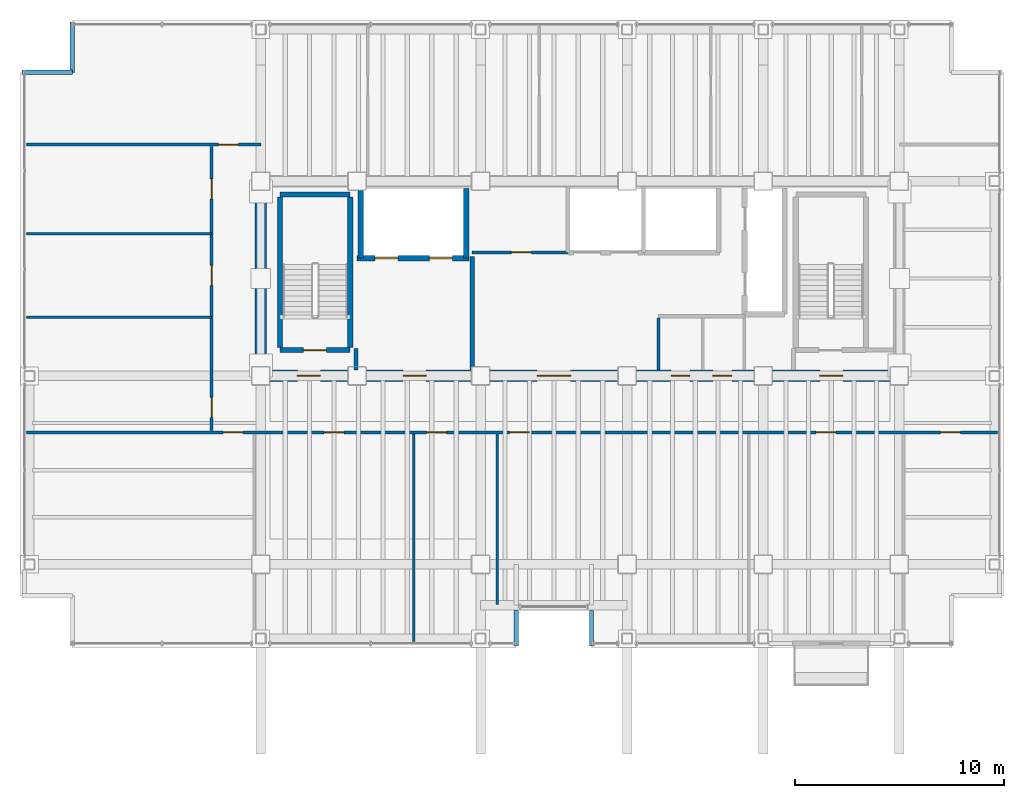
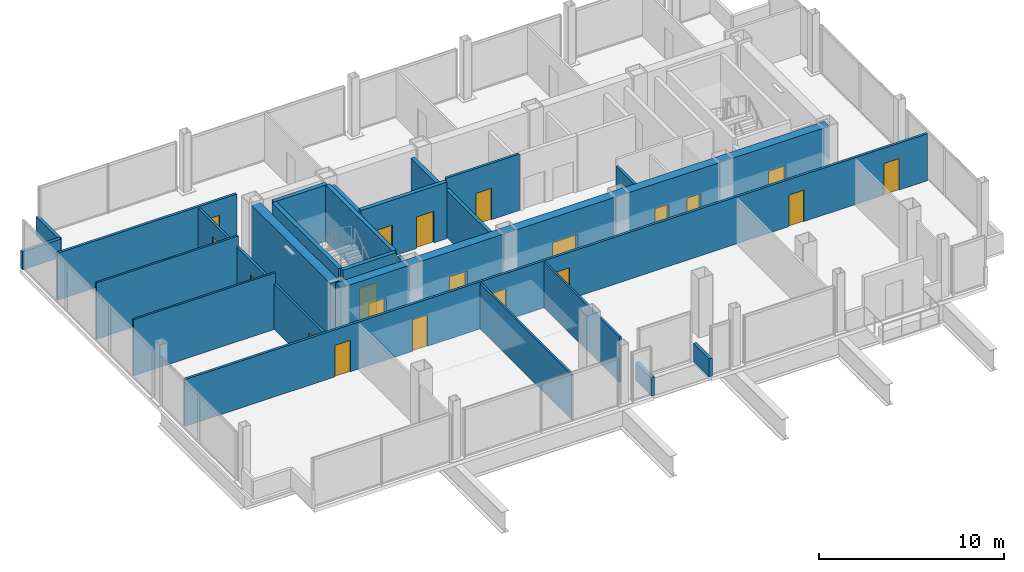
# One storey, part 21 of 24: 24 walls, 20 doors, 20 openings.
"""IFC4 building model written with IfcOpenShell, lengths in metres."""

from ifc_helpers import new_model, si_unit, direction, frame, frame_2d, origin, place, context, subcontext, project, spatial, rectangle, extrude, material, layer, layer_set, type_object, element, fill, save


model = new_model("IFC4")

# Units and contexts
model_context = context("Model", 3, precision=1e-05, world=origin(), true_north=direction((0.0, 1.0)))
body_context = subcontext(model_context, "Body", "Model", "MODEL_VIEW")
ifc_project = project(units=[si_unit("LENGTHUNIT", "METRE"), si_unit("AREAUNIT", "SQUARE_METRE"), si_unit("VOLUMEUNIT", "CUBIC_METRE"), si_unit("PLANEANGLEUNIT", "RADIAN"), si_unit("MASSUNIT", "GRAM", prefix="KILO")], contexts=[model_context])

# Site, building, storey
site_placement = place(None, origin())
site = spatial("IfcSite", under=ifc_project, at=site_placement, CompositionType="ELEMENT")
building_placement = place(site_placement, origin())
building = spatial("IfcBuilding", under=site, at=building_placement, Name="Noeulbin Bourse Tower", CompositionType="ELEMENT")
storey_placement = place(building_placement, frame((0.0, 0.0, 142.199951171875)))
storey = spatial("IfcBuildingStorey", under=building, at=storey_placement, Name="L35", CompositionType="ELEMENT", Elevation=142.199951171875)

# Wall, openings, doors
ifc_material_1 = material(Name="Concrete C60/75", Category="concrete")
ifc_layer_1 = layer(ifc_material_1, 0.550048828125)
ifc_layer_set_1 = layer_set([ifc_layer_1], Name="Concrete C60/75")
wall_type_1 = type_object("IfcWallType", Name="WAL-CORE-550", PredefinedType="SHEAR", material=ifc_layer_set_1)
wall_1_placement = place(storey_placement, frame((13.5, 29.0, 0.0), z_axis=(0.0, 0.0, 1.0), x_axis=(1.0, 0.0, 0.0)))
wall_1 = element("IfcWall", 1, at=wall_1_placement, inside=storey, type_object=wall_type_1, Name="Rear Core South Shear Wall L35", PredefinedType="SHEAR", context=body_context, shape_type="SweptSolid", body=[
    extrude(rectangle(XDim=30.5, YDim=0.550048828125, at=frame_2d((15.25, 0.0))), origin(), (0.0, 0.0, 1.0), 3.719970703125),
])
opening_1_placement = place(wall_1_placement, frame((1.75, 0.0, 0.0)))
opening_1 = element("IfcOpeningElement", 2, at=opening_1_placement, cuts=wall_1, Name="Opening FD-11", PredefinedType="OPENING", context=body_context, shape_type="SweptSolid", body=[
    extrude(rectangle(XDim=1.10009765625, YDim=2.080078125, at=frame_2d((0.550048828125, 1.0400390625))), frame((0.0, 0.284912109375, 0.0), z_axis=(0.0, -1.0, 0.0), x_axis=(1.0, 0.0, 0.0)), (0.0, 0.0, 1.0), 0.570068359375),
])
opening_2_placement = place(wall_1_placement, frame((26.699951171875, 0.0, 0.0)))
opening_2 = element("IfcOpeningElement", 3, at=opening_2_placement, cuts=wall_1, Name="Opening FD-11", PredefinedType="OPENING", context=body_context, shape_type="SweptSolid", body=[
    extrude(rectangle(XDim=1.10009765625, YDim=2.080078125, at=frame_2d((0.550048828125, 1.0400390625))), frame((0.0, 0.284912109375, 0.0), z_axis=(0.0, -1.0, 0.0), x_axis=(1.0, 0.0, 0.0)), (0.0, 0.0, 1.0), 0.570068359375),
])
opening_3_placement = place(wall_1_placement, frame((6.800048828125, 0.0, 0.0)))
opening_3 = element("IfcOpeningElement", 4, at=opening_3_placement, cuts=wall_1, Name="Opening FD-11", PredefinedType="OPENING", context=body_context, shape_type="SweptSolid", body=[
    extrude(rectangle(XDim=1.10009765625, YDim=2.080078125, at=frame_2d((0.550048828125, 1.0400390625))), frame((0.0, 0.284912109375, 0.0), z_axis=(0.0, -1.0, 0.0), x_axis=(1.0, 0.0, 0.0)), (0.0, 0.0, 1.0), 0.570068359375),
])
opening_4_placement = place(wall_1_placement, frame((13.199951171875, 0.0, 0.0)))
opening_4 = element("IfcOpeningElement", 5, at=opening_4_placement, cuts=wall_1, Name="Opening ID-16", PredefinedType="OPENING", context=body_context, shape_type="SweptSolid", body=[
    extrude(rectangle(XDim=1.60009765625, YDim=2.080078125, at=frame_2d((0.800048828125, 1.0400390625))), frame((0.0, 0.284912109375, 0.0), z_axis=(0.0, -1.0, 0.0), x_axis=(1.0, 0.0, 0.0)), (0.0, 0.0, 1.0), 0.570068359375),
])
opening_5_placement = place(wall_1_placement, frame((19.60009765625, 0.0, 0.0)))
opening_5 = element("IfcOpeningElement", 6, at=opening_5_placement, cuts=wall_1, Name="Opening FD-09", PredefinedType="OPENING", context=body_context, shape_type="SweptSolid", body=[
    extrude(rectangle(XDim=0.89990234375, YDim=2.080078125, at=frame_2d((0.449951171875, 1.0400390625))), frame((0.0, 0.284912109375, 0.0), z_axis=(0.0, -1.0, 0.0), x_axis=(1.0, 0.0, 0.0)), (0.0, 0.0, 1.0), 0.570068359375),
])
opening_6_placement = place(wall_1_placement, frame((21.60009765625, 0.0, 0.0)))
opening_6 = element("IfcOpeningElement", 7, at=opening_6_placement, cuts=wall_1, Name="Opening FD-09", PredefinedType="OPENING", context=body_context, shape_type="SweptSolid", body=[
    extrude(rectangle(XDim=0.89990234375, YDim=2.080078125, at=frame_2d((0.449951171875, 1.0400390625))), frame((0.0, 0.284912109375, 0.0), z_axis=(0.0, -1.0, 0.0), x_axis=(1.0, 0.0, 0.0)), (0.0, 0.0, 1.0), 0.570068359375),
])
ifc_material_2 = material(Name="Acoustic Glazed Aluminium", Category="aluminium")
door_type_1 = type_object("IfcDoorType", Name="DR-DBL-1600", OperationType="DOUBLE_DOOR_SINGLE_SWING", PredefinedType="DOOR", material=ifc_material_2)
door_1_placement = place(opening_4_placement, origin())
door_1 = element("IfcDoor", 8, at=door_1_placement, inside=storey, type_object=door_type_1, Name="Passenger Lift Lobby Portal L35", OperationType="DOUBLE_DOOR_SINGLE_SWING", OverallHeight=2.080078125, OverallWidth=1.60009765625, PredefinedType="DOOR", context=body_context, shape_type="SweptSolid", body=[
    extrude(rectangle(XDim=1.60009765625, YDim=2.080078125, at=frame_2d((0.800048828125, 1.0400390625))), frame((0.0, 0.02490234375, 0.0), z_axis=(0.0, -1.0, 0.0), x_axis=(1.0, 0.0, 0.0)), (0.0, 0.0, 1.0), 0.050048828125),
])
fill(opening_4, door_1)
ifc_material_3 = material(Name="Fire-Rated Timber Core", Category="wood")
door_type_2 = type_object("IfcDoorType", Name="DR-FD30-900", OperationType="SINGLE_SWING_RIGHT", PredefinedType="DOOR", material=ifc_material_3)
door_2_placement = place(opening_5_placement, origin())
door_2 = element("IfcDoor", 9, at=door_2_placement, inside=storey, type_object=door_type_2, Name="Interior Door L35-06", OperationType="SINGLE_SWING_LEFT", OverallHeight=2.080078125, OverallWidth=0.89990234375, PredefinedType="DOOR", context=body_context, shape_type="SweptSolid", body=[
    extrude(rectangle(XDim=0.89990234375, YDim=2.080078125, at=frame_2d((0.449951171875, 1.0400390625))), frame((0.0, 0.02490234375, 0.0), z_axis=(0.0, -1.0, 0.0), x_axis=(1.0, 0.0, 0.0)), (0.0, 0.0, 1.0), 0.050048828125),
])
fill(opening_5, door_2)
door_3_placement = place(opening_6_placement, origin())
door_3 = element("IfcDoor", 10, at=door_3_placement, inside=storey, type_object=door_type_2, Name="Interior Door L35-07", OperationType="SINGLE_SWING_RIGHT", OverallHeight=2.080078125, OverallWidth=0.89990234375, PredefinedType="DOOR", context=body_context, shape_type="SweptSolid", body=[
    extrude(rectangle(XDim=0.89990234375, YDim=2.080078125, at=frame_2d((0.449951171875, 1.0400390625))), frame((0.0, 0.02490234375, 0.0), z_axis=(0.0, -1.0, 0.0), x_axis=(1.0, 0.0, 0.0)), (0.0, 0.0, 1.0), 0.050048828125),
])
fill(opening_6, door_3)
ifc_material_4 = material(Name="Fire-Rated Insulated Steel", Category="steel")
door_type_3 = type_object("IfcDoorType", Name="DR-FD60-1100", OperationType="SINGLE_SWING_LEFT", PredefinedType="DOOR", material=ifc_material_4)
door_4_placement = place(opening_1_placement, origin())
door_4 = element("IfcDoor", 11, at=door_4_placement, inside=storey, type_object=door_type_3, Name="West Stair Lobby Door L35", OperationType="SINGLE_SWING_RIGHT", OverallHeight=2.080078125, OverallWidth=1.10009765625, PredefinedType="DOOR", context=body_context, shape_type="SweptSolid", body=[
    extrude(rectangle(XDim=1.10009765625, YDim=2.080078125, at=frame_2d((0.550048828125, 1.0400390625))), frame((0.0, 0.02490234375, 0.0), z_axis=(0.0, -1.0, 0.0), x_axis=(1.0, 0.0, 0.0)), (0.0, 0.0, 1.0), 0.050048828125),
])
fill(opening_1, door_4)
door_5_placement = place(opening_2_placement, origin())
door_5 = element("IfcDoor", 12, at=door_5_placement, inside=storey, type_object=door_type_3, Name="East Stair Lobby Door L35", OperationType="SINGLE_SWING_LEFT", OverallHeight=2.080078125, OverallWidth=1.10009765625, PredefinedType="DOOR", context=body_context, shape_type="SweptSolid", body=[
    extrude(rectangle(XDim=1.10009765625, YDim=2.080078125, at=frame_2d((0.550048828125, 1.0400390625))), frame((0.0, 0.02490234375, 0.0), z_axis=(0.0, -1.0, 0.0), x_axis=(1.0, 0.0, 0.0)), (0.0, 0.0, 1.0), 0.050048828125),
])
fill(opening_2, door_5)
door_6_placement = place(opening_3_placement, origin())
door_6 = element("IfcDoor", 13, at=door_6_placement, inside=storey, type_object=door_type_3, Name="Firefighting Lobby Door L35", OperationType="SINGLE_SWING_RIGHT", OverallHeight=2.080078125, OverallWidth=1.10009765625, PredefinedType="DOOR", context=body_context, shape_type="SweptSolid", body=[
    extrude(rectangle(XDim=1.10009765625, YDim=2.080078125, at=frame_2d((0.550048828125, 1.0400390625))), frame((0.0, 0.02490234375, 0.0), z_axis=(0.0, -1.0, 0.0), x_axis=(1.0, 0.0, 0.0)), (0.0, 0.0, 1.0), 0.050048828125),
])
fill(opening_3, door_6)

# Walls
wall_2_placement = place(storey_placement, frame((13.5, 29.35009765625, 0.0), z_axis=(0.0, 0.0, 1.0), x_axis=(0.0, 1.0, 0.0)))
element("IfcWall", 14, at=wall_2_placement, inside=storey, type_object=wall_type_1, Name="Rear Core West Shear Wall L35", PredefinedType="SHEAR", context=body_context, shape_type="SweptSolid", body=[
    extrude(rectangle(XDim=8.599853515625, YDim=0.550048828125, at=frame_2d((4.2998046875, 0.0))), origin(), (0.0, 0.0, 1.0), 3.719970703125),
])
ifc_material_5 = material(Name="Concrete C40/50", Category="concrete")
ifc_layer_2 = layer(ifc_material_5, 0.199951171875)
ifc_layer_set_2 = layer_set([ifc_layer_2], Name="Concrete C40/50")
wall_type_2 = type_object("IfcWallType", Name="WAL-FIRE-200", PredefinedType="STANDARD", material=ifc_layer_set_2)
wall_3_placement = place(storey_placement, frame((18.050048828125, 29.284912109375, 0.0), z_axis=(0.0, 0.0, 1.0), x_axis=(0.0, 1.0, 0.0)))
element("IfcWall", 15, at=wall_3_placement, inside=storey, type_object=wall_type_2, Name="Interior Partition Wall L35-09", PredefinedType="STANDARD", context=body_context, shape_type="SweptSolid", body=[
    extrude(rectangle(XDim=1.01513671875, YDim=0.199951171875, at=frame_2d((0.507568359375, 0.0))), origin(), (0.0, 0.0, 1.0), 3.300048828125),
])
wall_4_placement = place(storey_placement, frame((23.60009765625, 29.284912109375, 0.0), z_axis=(0.0, 0.0, 1.0), x_axis=(0.0, 1.0, 0.0)))
element("IfcWall", 16, at=wall_4_placement, inside=storey, type_object=wall_type_2, Name="Interior Partition Wall L35-11", PredefinedType="STANDARD", context=body_context, shape_type="SweptSolid", body=[
    extrude(rectangle(XDim=5.4150390625, YDim=0.199951171875, at=frame_2d((2.70751953125, 0.0))), origin(), (0.0, 0.0, 1.0), 3.10009765625),
])
ifc_layer_3 = layer(ifc_material_5, 0.199951171875)
ifc_layer_set_3 = layer_set([ifc_layer_3], Name="Concrete C40/50")
wall_type_3 = type_object("IfcWallType", Name="WAL-PAR-200", PredefinedType="PARAPET", material=ifc_layer_set_3)
for number, where, z_axis, x_axis, name in (
    (17, (2.10009765625, 43.5, 0.0), (0.0, 0.0, 1.0), (1.0, 0.0, 0.0), "Corner Notch Parapet L35-NW1"),
    (18, (4.5, 43.5, 0.0), (0.0, 0.0, 1.0), (0.0, 1.0, 0.0), "Corner Notch Parapet L35-NW2"),
):
    element("IfcWall", number, at=place(storey_placement, frame(where, z_axis=z_axis, x_axis=x_axis)), inside=storey, type_object=wall_type_3, Name=name, PredefinedType="PARAPET", context=body_context, shape_type="SweptSolid", body=[
        extrude(rectangle(XDim=2.39990234375, YDim=0.199951171875, at=frame_2d((1.199951171875, 0.0))), origin(), (0.0, 0.0, 1.0), 1.199951171875),
    ])
for number, where, z_axis, x_axis, name in (
    (19, (25.699951171875, 16.10009765625, 0.0), (0.0, 0.0, 1.0), (0.0, 1.0, 0.0), "Sky-Garden Recess Parapet L35-W"),
    (20, (29.300048828125, 17.800048828125, 0.0), (0.0, 0.0, 1.0), (0.0, -1.0, 0.0), "Sky-Garden Recess Parapet L35-E"),
):
    element("IfcWall", number, at=place(storey_placement, frame(where, z_axis=z_axis, x_axis=x_axis)), inside=storey, type_object=wall_type_3, Name=name, PredefinedType="PARAPET", context=body_context, shape_type="SweptSolid", body=[
        extrude(rectangle(XDim=1.699951171875, YDim=0.199951171875, at=frame_2d((0.85009765625, 0.0))), origin(), (0.0, 0.0, 1.0), 1.199951171875),
    ])
ifc_material_6 = material(Name="Steel Stud Gypsum Partition", Category="steel")
ifc_layer_4 = layer(ifc_material_6, 0.1201171875)
ifc_layer_set_4 = layer_set([ifc_layer_4], Name="Steel Stud Gypsum Partition")
wall_type_4 = type_object("IfcWallType", Name="WAL-PRT-120", PredefinedType="PARTITIONING", material=ifc_layer_set_4)
for number, where, z_axis, x_axis, name in (
    (21, (2.31005859375, 31.800048828125, 0.0), (0.0, 0.0, 1.0), (1.0, 0.0, 0.0), "Interior Partition Wall L35-05"),
    (22, (2.31005859375, 35.800048828125, 0.0), (0.0, 0.0, 1.0), (1.0, 0.0, 0.0), "Interior Partition Wall L35-06"),
):
    element("IfcWall", number, at=place(storey_placement, frame(where, z_axis=z_axis, x_axis=x_axis)), inside=storey, type_object=wall_type_4, Name=name, PredefinedType="PARTITIONING", context=body_context, shape_type="SweptSolid", body=[
        extrude(rectangle(XDim=8.83984375, YDim=0.1201171875, at=frame_2d((4.419921875, 0.0))), origin(), (0.0, 0.0, 1.0), 3.719970703125),
    ])
wall_5_placement = place(storey_placement, frame((20.800048828125, 16.31005859375, 0.0), z_axis=(0.0, 0.0, 1.0), x_axis=(0.0, 1.0, 0.0)))
element("IfcWall", 23, at=wall_5_placement, inside=storey, type_object=wall_type_4, Name="Interior Partition Wall L35-17", PredefinedType="PARTITIONING", context=body_context, shape_type="SweptSolid", body=[
    extrude(rectangle(XDim=9.905029296875, YDim=0.1201171875, at=frame_2d((4.95263671875, 0.0))), origin(), (0.0, 0.0, 1.0), 3.0),
])
wall_6_placement = place(storey_placement, frame((24.800048828125, 18.070068359375, 0.0), z_axis=(0.0, 0.0, 1.0), x_axis=(0.0, 1.0, 0.0)))
element("IfcWall", 24, at=wall_6_placement, inside=storey, type_object=wall_type_4, Name="Interior Partition Wall L35-18", PredefinedType="PARTITIONING", context=body_context, shape_type="SweptSolid", body=[
    extrude(rectangle(XDim=8.14501953125, YDim=0.1201171875, at=frame_2d((4.072509765625, 0.0))), origin(), (0.0, 0.0, 1.0), 3.0),
])

# Wall, opening, door
ifc_material_7 = material(Name="Steel Stud Acoustic Gypsum Board", Category="steel")
ifc_layer_5 = layer(ifc_material_7, 0.14990234375)
ifc_layer_set_5 = layer_set([ifc_layer_5], Name="Steel Stud Acoustic Gypsum Board")
wall_type_5 = type_object("IfcWallType", Name="WAL-PRT-150", PredefinedType="PARTITIONING", material=ifc_layer_set_5)
wall_7_placement = place(storey_placement, frame((23.60009765625, 34.89990234375, 0.0), z_axis=(0.0, 0.0, 1.0), x_axis=(1.0, 0.0, 0.0)))
wall_7 = element("IfcWall", 25, at=wall_7_placement, inside=storey, type_object=wall_type_5, Name="Interior Partition Wall L35-02", PredefinedType="PARTITIONING", context=body_context, shape_type="SweptSolid", body=[
    extrude(rectangle(XDim=4.579833984375, YDim=0.14990234375, at=frame_2d((2.2900390625, 0.0))), origin(), (0.0, 0.0, 1.0), 3.719970703125),
])
opening_7_placement = place(wall_7_placement, frame((1.875, 0.0, 0.0)))
opening_7 = element("IfcOpeningElement", 26, at=opening_7_placement, cuts=wall_7, Name="Opening ID-09", PredefinedType="OPENING", context=body_context, shape_type="SweptSolid", body=[
    extrude(rectangle(XDim=0.949951171875, YDim=2.080078125, at=frame_2d((0.47509765625, 1.0400390625))), frame((0.0, 0.0849609375, 0.0), z_axis=(0.0, -1.0, 0.0), x_axis=(1.0, 0.0, 0.0)), (0.0, 0.0, 1.0), 0.169921875),
])
ifc_material_8 = material(Name="Acoustic Solid-Core Timber", Category="wood")
door_type_4 = type_object("IfcDoorType", Name="DR-SINGLE-950", OperationType="SINGLE_SWING_LEFT", PredefinedType="DOOR", material=ifc_material_8)
door_7_placement = place(opening_7_placement, origin())
door_7 = element("IfcDoor", 27, at=door_7_placement, inside=storey, type_object=door_type_4, Name="Archive Room Door L35", OperationType="SINGLE_SWING_RIGHT", OverallHeight=2.080078125, OverallWidth=0.949951171875, PredefinedType="DOOR", context=body_context, shape_type="SweptSolid", body=[
    extrude(rectangle(XDim=0.949951171875, YDim=2.080078125, at=frame_2d((0.47509765625, 1.0400390625))), frame((0.0, 0.02490234375, 0.0), z_axis=(0.0, -1.0, 0.0), x_axis=(1.0, 0.0, 0.0)), (0.0, 0.0, 1.0), 0.050048828125),
])
fill(opening_7, door_7)

# Wall, openings, doors
wall_8_placement = place(storey_placement, frame((2.31005859375, 26.300048828125, 0.0), z_axis=(0.0, 0.0, 1.0), x_axis=(1.0, 0.0, 0.0)))
wall_8 = element("IfcWall", 28, at=wall_8_placement, inside=storey, type_object=wall_type_5, Name="Interior Partition Wall L35-04", PredefinedType="PARTITIONING", context=body_context, shape_type="SweptSolid", body=[
    extrude(rectangle(XDim=46.3798828125, YDim=0.14990234375, at=frame_2d((23.18994140625, 0.0))), origin(), (0.0, 0.0, 1.0), 3.10009765625),
])
opening_8_placement = place(wall_8_placement, frame((9.389892578125, 0.0, 0.0)))
opening_8 = element("IfcOpeningElement", 29, at=opening_8_placement, cuts=wall_8, Name="Opening ID-09", PredefinedType="OPENING", context=body_context, shape_type="SweptSolid", body=[
    extrude(rectangle(XDim=0.949951171875, YDim=2.080078125, at=frame_2d((0.47509765625, 1.0400390625))), frame((0.0, 0.0849609375, 0.0), z_axis=(0.0, -1.0, 0.0), x_axis=(1.0, 0.0, 0.0)), (0.0, 0.0, 1.0), 0.169921875),
])
opening_9_placement = place(wall_8_placement, frame((14.215087890625, 0.0, 0.0)))
opening_9 = element("IfcOpeningElement", 30, at=opening_9_placement, cuts=wall_8, Name="Opening ID-09", PredefinedType="OPENING", context=body_context, shape_type="SweptSolid", body=[
    extrude(rectangle(XDim=0.949951171875, YDim=2.080078125, at=frame_2d((0.47509765625, 1.0400390625))), frame((0.0, 0.0849609375, 0.0), z_axis=(0.0, -1.0, 0.0), x_axis=(1.0, 0.0, 0.0)), (0.0, 0.0, 1.0), 0.169921875),
])
opening_10_placement = place(wall_8_placement, frame((19.114990234375, 0.0, 0.0)))
opening_10 = element("IfcOpeningElement", 31, at=opening_10_placement, cuts=wall_8, Name="Opening ID-09", PredefinedType="OPENING", context=body_context, shape_type="SweptSolid", body=[
    extrude(rectangle(XDim=0.949951171875, YDim=2.080078125, at=frame_2d((0.47509765625, 1.0400390625))), frame((0.0, 0.0849609375, 0.0), z_axis=(0.0, -1.0, 0.0), x_axis=(1.0, 0.0, 0.0)), (0.0, 0.0, 1.0), 0.169921875),
])
opening_11_placement = place(wall_8_placement, frame((23.06494140625, 0.0, 0.0)))
opening_11 = element("IfcOpeningElement", 32, at=opening_11_placement, cuts=wall_8, Name="Opening ID-09", PredefinedType="OPENING", context=body_context, shape_type="SweptSolid", body=[
    extrude(rectangle(XDim=0.949951171875, YDim=2.080078125, at=frame_2d((0.47509765625, 1.0400390625))), frame((0.0, 0.0849609375, 0.0), z_axis=(0.0, -1.0, 0.0), x_axis=(1.0, 0.0, 0.0)), (0.0, 0.0, 1.0), 0.169921875),
])
opening_12_placement = place(wall_8_placement, frame((37.715087890625, 0.0, 0.0)))
opening_12 = element("IfcOpeningElement", 33, at=opening_12_placement, cuts=wall_8, Name="Opening ID-09", PredefinedType="OPENING", context=body_context, shape_type="SweptSolid", body=[
    extrude(rectangle(XDim=0.949951171875, YDim=2.080078125, at=frame_2d((0.47509765625, 1.0400390625))), frame((0.0, 0.0849609375, 0.0), z_axis=(0.0, -1.0, 0.0), x_axis=(1.0, 0.0, 0.0)), (0.0, 0.0, 1.0), 0.169921875),
])
opening_13_placement = place(wall_8_placement, frame((43.659912109375, 0.0, 0.0)))
opening_13 = element("IfcOpeningElement", 34, at=opening_13_placement, cuts=wall_8, Name="Opening ID-09", PredefinedType="OPENING", context=body_context, shape_type="SweptSolid", body=[
    extrude(rectangle(XDim=0.949951171875, YDim=2.080078125, at=frame_2d((0.47509765625, 1.0400390625))), frame((0.0, 0.0849609375, 0.0), z_axis=(0.0, -1.0, 0.0), x_axis=(1.0, 0.0, 0.0)), (0.0, 0.0, 1.0), 0.169921875),
])
door_8_placement = place(opening_8_placement, origin())
door_8 = element("IfcDoor", 35, at=door_8_placement, inside=storey, type_object=door_type_4, Name="Interior Door L35-08", OperationType="SINGLE_SWING_LEFT", OverallHeight=2.080078125, OverallWidth=0.949951171875, PredefinedType="DOOR", context=body_context, shape_type="SweptSolid", body=[
    extrude(rectangle(XDim=0.949951171875, YDim=2.080078125, at=frame_2d((0.47509765625, 1.0400390625))), frame((0.0, 0.02490234375, 0.0), z_axis=(0.0, -1.0, 0.0), x_axis=(1.0, 0.0, 0.0)), (0.0, 0.0, 1.0), 0.050048828125),
])
fill(opening_8, door_8)
door_9_placement = place(opening_9_placement, origin())
door_9 = element("IfcDoor", 36, at=door_9_placement, inside=storey, type_object=door_type_4, Name="Interior Door L35-09", OperationType="SINGLE_SWING_RIGHT", OverallHeight=2.080078125, OverallWidth=0.949951171875, PredefinedType="DOOR", context=body_context, shape_type="SweptSolid", body=[
    extrude(rectangle(XDim=0.949951171875, YDim=2.080078125, at=frame_2d((0.47509765625, 1.0400390625))), frame((0.0, 0.02490234375, 0.0), z_axis=(0.0, -1.0, 0.0), x_axis=(1.0, 0.0, 0.0)), (0.0, 0.0, 1.0), 0.050048828125),
])
fill(opening_9, door_9)
door_10_placement = place(opening_10_placement, origin())
door_10 = element("IfcDoor", 37, at=door_10_placement, inside=storey, type_object=door_type_4, Name="Interior Door L35-10", OperationType="SINGLE_SWING_LEFT", OverallHeight=2.080078125, OverallWidth=0.949951171875, PredefinedType="DOOR", context=body_context, shape_type="SweptSolid", body=[
    extrude(rectangle(XDim=0.949951171875, YDim=2.080078125, at=frame_2d((0.47509765625, 1.0400390625))), frame((0.0, 0.02490234375, 0.0), z_axis=(0.0, -1.0, 0.0), x_axis=(1.0, 0.0, 0.0)), (0.0, 0.0, 1.0), 0.050048828125),
])
fill(opening_10, door_10)
door_11_placement = place(opening_11_placement, origin())
door_11 = element("IfcDoor", 38, at=door_11_placement, inside=storey, type_object=door_type_4, Name="Interior Door L35-11", OperationType="SINGLE_SWING_RIGHT", OverallHeight=2.080078125, OverallWidth=0.949951171875, PredefinedType="DOOR", context=body_context, shape_type="SweptSolid", body=[
    extrude(rectangle(XDim=0.949951171875, YDim=2.080078125, at=frame_2d((0.47509765625, 1.0400390625))), frame((0.0, 0.02490234375, 0.0), z_axis=(0.0, -1.0, 0.0), x_axis=(1.0, 0.0, 0.0)), (0.0, 0.0, 1.0), 0.050048828125),
])
fill(opening_11, door_11)
door_12_placement = place(opening_12_placement, origin())
door_12 = element("IfcDoor", 39, at=door_12_placement, inside=storey, type_object=door_type_4, Name="Interior Door L35-12", OperationType="SINGLE_SWING_LEFT", OverallHeight=2.080078125, OverallWidth=0.949951171875, PredefinedType="DOOR", context=body_context, shape_type="SweptSolid", body=[
    extrude(rectangle(XDim=0.949951171875, YDim=2.080078125, at=frame_2d((0.47509765625, 1.0400390625))), frame((0.0, 0.02490234375, 0.0), z_axis=(0.0, -1.0, 0.0), x_axis=(1.0, 0.0, 0.0)), (0.0, 0.0, 1.0), 0.050048828125),
])
fill(opening_12, door_12)
door_13_placement = place(opening_13_placement, origin())
door_13 = element("IfcDoor", 40, at=door_13_placement, inside=storey, type_object=door_type_4, Name="Interior Door L35-13", OperationType="SINGLE_SWING_RIGHT", OverallHeight=2.080078125, OverallWidth=0.949951171875, PredefinedType="DOOR", context=body_context, shape_type="SweptSolid", body=[
    extrude(rectangle(XDim=0.949951171875, YDim=2.080078125, at=frame_2d((0.47509765625, 1.0400390625))), frame((0.0, 0.02490234375, 0.0), z_axis=(0.0, -1.0, 0.0), x_axis=(1.0, 0.0, 0.0)), (0.0, 0.0, 1.0), 0.050048828125),
])
fill(opening_13, door_13)

# Wall, opening, door
wall_9_placement = place(storey_placement, frame((2.31005859375, 40.050048828125, 0.0), z_axis=(0.0, 0.0, 1.0), x_axis=(1.0, 0.0, 0.0)))
wall_9 = element("IfcWall", 41, at=wall_9_placement, inside=storey, type_object=wall_type_5, Name="Interior Partition Wall L35-07", PredefinedType="PARTITIONING", context=body_context, shape_type="SweptSolid", body=[
    extrude(rectangle(XDim=11.18994140625, YDim=0.14990234375, at=frame_2d((5.594970703125, 0.0))), origin(), (0.0, 0.0, 1.0), 3.10009765625),
])
opening_14_placement = place(wall_9_placement, frame((9.1650390625, 0.0, 0.0)))
opening_14 = element("IfcOpeningElement", 42, at=opening_14_placement, cuts=wall_9, Name="Opening ID-09", PredefinedType="OPENING", context=body_context, shape_type="SweptSolid", body=[
    extrude(rectangle(XDim=0.949951171875, YDim=2.080078125, at=frame_2d((0.47509765625, 1.0400390625))), frame((0.0, 0.0849609375, 0.0), z_axis=(0.0, -1.0, 0.0), x_axis=(1.0, 0.0, 0.0)), (0.0, 0.0, 1.0), 0.169921875),
])
door_14_placement = place(opening_14_placement, origin())
door_14 = element("IfcDoor", 43, at=door_14_placement, inside=storey, type_object=door_type_4, Name="Interior Door L35-17", OperationType="SINGLE_SWING_RIGHT", OverallHeight=2.080078125, OverallWidth=0.949951171875, PredefinedType="DOOR", context=body_context, shape_type="SweptSolid", body=[
    extrude(rectangle(XDim=0.949951171875, YDim=2.080078125, at=frame_2d((0.47509765625, 1.0400390625))), frame((0.0, 0.02490234375, 0.0), z_axis=(0.0, -1.0, 0.0), x_axis=(1.0, 0.0, 0.0)), (0.0, 0.0, 1.0), 0.050048828125),
])
fill(opening_14, door_14)

# Wall
wall_10_placement = place(storey_placement, frame((32.5, 29.284912109375, 0.0), z_axis=(0.0, 0.0, 1.0), x_axis=(0.0, 1.0, 0.0)))
element("IfcWall", 44, at=wall_10_placement, inside=storey, type_object=wall_type_5, Name="Interior Partition Wall L35-12", PredefinedType="PARTITIONING", context=body_context, shape_type="SweptSolid", body=[
    extrude(rectangle(XDim=2.47998046875, YDim=0.14990234375, at=frame_2d((1.239990234375, 0.0))), origin(), (0.0, 0.0, 1.0), 3.300048828125),
])

# Wall, openings, doors
wall_11_placement = place(storey_placement, frame((11.14990234375, 26.385009765625, 0.0), z_axis=(0.0, 0.0, 1.0), x_axis=(0.0, 1.0, 0.0)))
wall_11 = element("IfcWall", 45, at=wall_11_placement, inside=storey, type_object=wall_type_5, Name="Interior Partition Wall L35-15", PredefinedType="PARTITIONING", context=body_context, shape_type="SweptSolid", body=[
    extrude(rectangle(XDim=13.580078125, YDim=0.14990234375, at=frame_2d((6.7900390625, 0.0))), origin(), (0.0, 0.0, 1.0), 3.0),
])
opening_15_placement = place(wall_11_placement, frame((0.639892578125, 0.0, 0.0)))
opening_15 = element("IfcOpeningElement", 46, at=opening_15_placement, cuts=wall_11, Name="Opening ID-09", PredefinedType="OPENING", context=body_context, shape_type="SweptSolid", body=[
    extrude(rectangle(XDim=0.949951171875, YDim=2.080078125, at=frame_2d((0.47509765625, 1.0400390625))), frame((0.0, 0.0849609375, 0.0), z_axis=(0.0, -1.0, 0.0), x_axis=(1.0, 0.0, 0.0)), (0.0, 0.0, 1.0), 0.169921875),
])
opening_16_placement = place(wall_11_placement, frame((6.93994140625, 0.0, 0.0)))
opening_16 = element("IfcOpeningElement", 47, at=opening_16_placement, cuts=wall_11, Name="Opening ID-09", PredefinedType="OPENING", context=body_context, shape_type="SweptSolid", body=[
    extrude(rectangle(XDim=0.949951171875, YDim=2.080078125, at=frame_2d((0.47509765625, 1.0400390625))), frame((0.0, 0.0849609375, 0.0), z_axis=(0.0, -1.0, 0.0), x_axis=(1.0, 0.0, 0.0)), (0.0, 0.0, 1.0), 0.169921875),
])
opening_17_placement = place(wall_11_placement, frame((11.06494140625, 0.0, 0.0)))
opening_17 = element("IfcOpeningElement", 48, at=opening_17_placement, cuts=wall_11, Name="Opening ID-09", PredefinedType="OPENING", context=body_context, shape_type="SweptSolid", body=[
    extrude(rectangle(XDim=0.949951171875, YDim=2.080078125, at=frame_2d((0.47509765625, 1.0400390625))), frame((0.0, 0.0849609375, 0.0), z_axis=(0.0, -1.0, 0.0), x_axis=(1.0, 0.0, 0.0)), (0.0, 0.0, 1.0), 0.169921875),
])
door_15_placement = place(opening_15_placement, origin())
door_15 = element("IfcDoor", 49, at=door_15_placement, inside=storey, type_object=door_type_4, Name="Interior Door L35-14", OperationType="SINGLE_SWING_LEFT", OverallHeight=2.080078125, OverallWidth=0.949951171875, PredefinedType="DOOR", context=body_context, shape_type="SweptSolid", body=[
    extrude(rectangle(XDim=0.949951171875, YDim=2.080078125, at=frame_2d((0.47509765625, 1.0400390625))), frame((0.0, 0.02490234375, 0.0), z_axis=(0.0, -1.0, 0.0), x_axis=(1.0, 0.0, 0.0)), (0.0, 0.0, 1.0), 0.050048828125),
])
fill(opening_15, door_15)
door_16_placement = place(opening_16_placement, origin())
door_16 = element("IfcDoor", 50, at=door_16_placement, inside=storey, type_object=door_type_4, Name="Interior Door L35-15", OperationType="SINGLE_SWING_RIGHT", OverallHeight=2.080078125, OverallWidth=0.949951171875, PredefinedType="DOOR", context=body_context, shape_type="SweptSolid", body=[
    extrude(rectangle(XDim=0.949951171875, YDim=2.080078125, at=frame_2d((0.47509765625, 1.0400390625))), frame((0.0, 0.02490234375, 0.0), z_axis=(0.0, -1.0, 0.0), x_axis=(1.0, 0.0, 0.0)), (0.0, 0.0, 1.0), 0.050048828125),
])
fill(opening_16, door_16)
door_17_placement = place(opening_17_placement, origin())
door_17 = element("IfcDoor", 51, at=door_17_placement, inside=storey, type_object=door_type_4, Name="Interior Door L35-16", OperationType="SINGLE_SWING_LEFT", OverallHeight=2.080078125, OverallWidth=0.949951171875, PredefinedType="DOOR", context=body_context, shape_type="SweptSolid", body=[
    extrude(rectangle(XDim=0.949951171875, YDim=2.080078125, at=frame_2d((0.47509765625, 1.0400390625))), frame((0.0, 0.02490234375, 0.0), z_axis=(0.0, -1.0, 0.0), x_axis=(1.0, 0.0, 0.0)), (0.0, 0.0, 1.0), 0.050048828125),
])
fill(opening_17, door_17)

# Wall, opening, door
ifc_layer_6 = layer(ifc_material_5, 0.25)
ifc_layer_set_6 = layer_set([ifc_layer_6], Name="Concrete C40/50")
wall_type_6 = type_object("IfcWallType", Name="WAL-SHFT-250", PredefinedType="STANDARD", material=ifc_layer_set_6)
wall_12_placement = place(storey_placement, frame((14.429931640625, 30.235107421875, 0.0), z_axis=(0.0, 0.0, 1.0), x_axis=(1.0, 0.0, 0.0)))
wall_12 = element("IfcWall", 52, at=wall_12_placement, inside=storey, type_object=wall_type_6, Name="Stair ST-1 South Shaft Wall L35", PredefinedType="STANDARD", context=body_context, shape_type="SweptSolid", body=[
    extrude(rectangle(XDim=3.340087890625, YDim=0.25, at=frame_2d((1.669921875, 0.0))), origin(), (0.0, 0.0, 1.0), 3.719970703125),
])
opening_18_placement = place(wall_12_placement, frame((1.10009765625, 0.0, 0.0)))
opening_18 = element("IfcOpeningElement", 53, at=opening_18_placement, cuts=wall_12, Name="Opening FD-11", PredefinedType="OPENING", context=body_context, shape_type="SweptSolid", body=[
    extrude(rectangle(XDim=1.10009765625, YDim=2.080078125, at=frame_2d((0.550048828125, 1.0400390625))), frame((0.0, 0.135009765625, 0.0), z_axis=(0.0, -1.0, 0.0), x_axis=(1.0, 0.0, 0.0)), (0.0, 0.0, 1.0), 0.27001953125),
])
door_18_placement = place(opening_18_placement, origin())
door_18 = element("IfcDoor", 54, at=door_18_placement, inside=storey, type_object=door_type_3, Name="Protected Stair Entry Door ST1-L35", OperationType="SINGLE_SWING_RIGHT", OverallHeight=2.080078125, OverallWidth=1.10009765625, PredefinedType="DOOR", context=body_context, shape_type="SweptSolid", body=[
    extrude(rectangle(XDim=1.10009765625, YDim=2.080078125, at=frame_2d((0.550048828125, 1.0400390625))), frame((0.0, 0.02490234375, 0.0), z_axis=(0.0, -1.0, 0.0), x_axis=(1.0, 0.0, 0.0)), (0.0, 0.0, 1.0), 0.050048828125),
])
fill(opening_18, door_18)

# Walls
wall_13_placement = place(storey_placement, frame((14.429931640625, 37.6689453125, 0.0), z_axis=(0.0, 0.0, 1.0), x_axis=(1.0, 0.0, 0.0)))
element("IfcWall", 55, at=wall_13_placement, inside=storey, type_object=wall_type_6, Name="Stair ST-1 North Shaft Wall L35", PredefinedType="STANDARD", context=body_context, shape_type="SweptSolid", body=[
    extrude(rectangle(XDim=3.340087890625, YDim=0.25, at=frame_2d((1.669921875, 0.0))), origin(), (0.0, 0.0, 1.0), 3.719970703125),
])
for number, where, z_axis, x_axis, name in (
    (56, (14.425048828125, 30.360107421875, 0.0), (0.0, 0.0, 1.0), (0.0, 1.0, 0.0), "Stair ST-1 West Shaft Wall L35"),
    (57, (17.77490234375, 30.360107421875, 0.0), (0.0, 0.0, 1.0), (0.0, 1.0, 0.0), "Stair ST-1 East Shaft Wall L35"),
):
    element("IfcWall", number, at=place(storey_placement, frame(where, z_axis=z_axis, x_axis=x_axis)), inside=storey, type_object=wall_type_6, Name=name, PredefinedType="STANDARD", context=body_context, shape_type="SweptSolid", body=[
        extrude(rectangle(XDim=7.183837890625, YDim=0.25, at=frame_2d((3.591796875, 0.0))), origin(), (0.0, 0.0, 1.0), 3.719970703125),
    ])

# Wall, openings, doors
wall_14_placement = place(storey_placement, frame((18.10009765625, 34.6201171875, 0.0), z_axis=(0.0, 0.0, 1.0), x_axis=(1.0, 0.0, 0.0)))
wall_14 = element("IfcWall", 58, at=wall_14_placement, inside=storey, type_object=wall_type_6, Name="Firefighting Lift Shaft Front L35", PredefinedType="STANDARD", context=body_context, shape_type="SweptSolid", body=[
    extrude(rectangle(XDim=5.349853515625, YDim=0.25, at=frame_2d((2.6748046875, 0.0))), origin(), (0.0, 0.0, 1.0), 3.719970703125),
])
opening_19_placement = place(wall_14_placement, frame((0.85009765625, 0.0, 0.0)))
opening_19 = element("IfcOpeningElement", 59, at=opening_19_placement, cuts=wall_14, Name="Opening LD-11", PredefinedType="OPENING", context=body_context, shape_type="SweptSolid", body=[
    extrude(rectangle(XDim=1.10009765625, YDim=2.080078125, at=frame_2d((0.550048828125, 1.0400390625))), frame((0.0, 0.135009765625, 0.0), z_axis=(0.0, -1.0, 0.0), x_axis=(1.0, 0.0, 0.0)), (0.0, 0.0, 1.0), 0.27001953125),
])
opening_20_placement = place(wall_14_placement, frame((3.449951171875, 0.0, 0.0)))
opening_20 = element("IfcOpeningElement", 60, at=opening_20_placement, cuts=wall_14, Name="Opening LD-11", PredefinedType="OPENING", context=body_context, shape_type="SweptSolid", body=[
    extrude(rectangle(XDim=1.10009765625, YDim=2.080078125, at=frame_2d((0.550048828125, 1.0400390625))), frame((0.0, 0.135009765625, 0.0), z_axis=(0.0, -1.0, 0.0), x_axis=(1.0, 0.0, 0.0)), (0.0, 0.0, 1.0), 0.27001953125),
])
ifc_material_9 = material(Name="Brushed Stainless Steel 316", Category="steel")
door_type_5 = type_object("IfcDoorType", Name="DR-LIFT-1100", OperationType="SLIDING_TO_LEFT", PredefinedType="DOOR", material=ifc_material_9)
door_19_placement = place(opening_19_placement, origin())
door_19 = element("IfcDoor", 61, at=door_19_placement, inside=storey, type_object=door_type_5, Name="Lift Landing Door LD-FL-01-L35", OperationType="SLIDING_TO_LEFT", OverallHeight=2.080078125, OverallWidth=1.10009765625, PredefinedType="DOOR", context=body_context, shape_type="SweptSolid", body=[
    extrude(rectangle(XDim=1.10009765625, YDim=2.080078125, at=frame_2d((0.550048828125, 1.0400390625))), frame((0.0, 0.02490234375, 0.0), z_axis=(0.0, -1.0, 0.0), x_axis=(1.0, 0.0, 0.0)), (0.0, 0.0, 1.0), 0.050048828125),
])
fill(opening_19, door_19)
door_20_placement = place(opening_20_placement, origin())
door_20 = element("IfcDoor", 62, at=door_20_placement, inside=storey, type_object=door_type_5, Name="Lift Landing Door LD-FL-02-L35", OperationType="SLIDING_TO_LEFT", OverallHeight=2.080078125, OverallWidth=1.10009765625, PredefinedType="DOOR", context=body_context, shape_type="SweptSolid", body=[
    extrude(rectangle(XDim=1.10009765625, YDim=2.080078125, at=frame_2d((0.550048828125, 1.0400390625))), frame((0.0, 0.02490234375, 0.0), z_axis=(0.0, -1.0, 0.0), x_axis=(1.0, 0.0, 0.0)), (0.0, 0.0, 1.0), 0.050048828125),
])
fill(opening_20, door_20)

# Walls
for number, where, z_axis, x_axis, name in (
    (63, (18.280029296875, 34.6201171875, 0.0), (0.0, 0.0, 1.0), (0.0, 1.0, 0.0), "Firefighting Lift West Shaft Wall L35"),
    (64, (23.320068359375, 34.6201171875, 0.0), (0.0, 0.0, 1.0), (0.0, 1.0, 0.0), "Firefighting Lift East Shaft Wall L35"),
):
    element("IfcWall", number, at=place(storey_placement, frame(where, z_axis=z_axis, x_axis=x_axis)), inside=storey, type_object=wall_type_6, Name=name, PredefinedType="STANDARD", context=body_context, shape_type="SweptSolid", body=[
        extrude(rectangle(XDim=3.329833984375, YDim=0.25, at=frame_2d((1.6650390625, 0.0))), origin(), (0.0, 0.0, 1.0), 3.300048828125),
    ])

save(model, "model.ifc")
